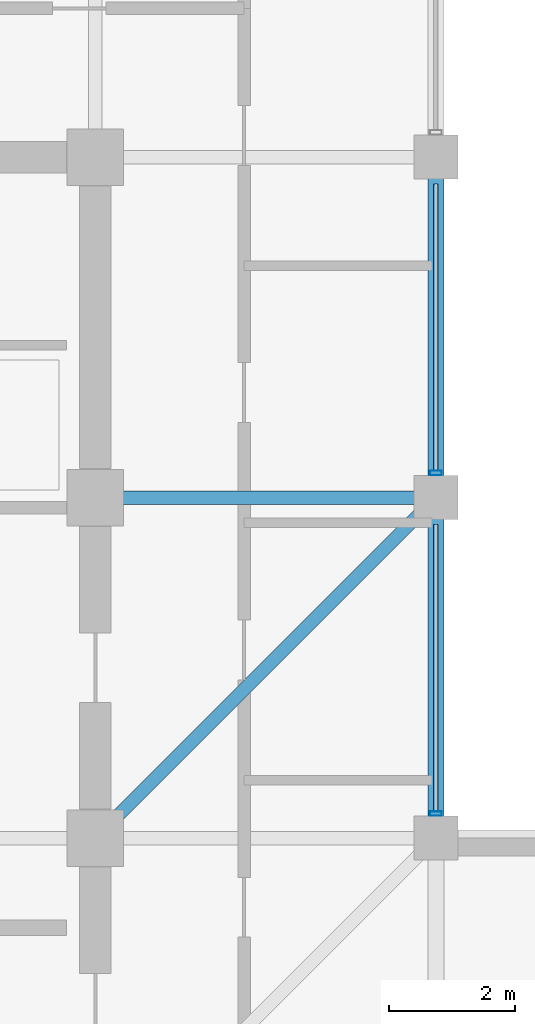
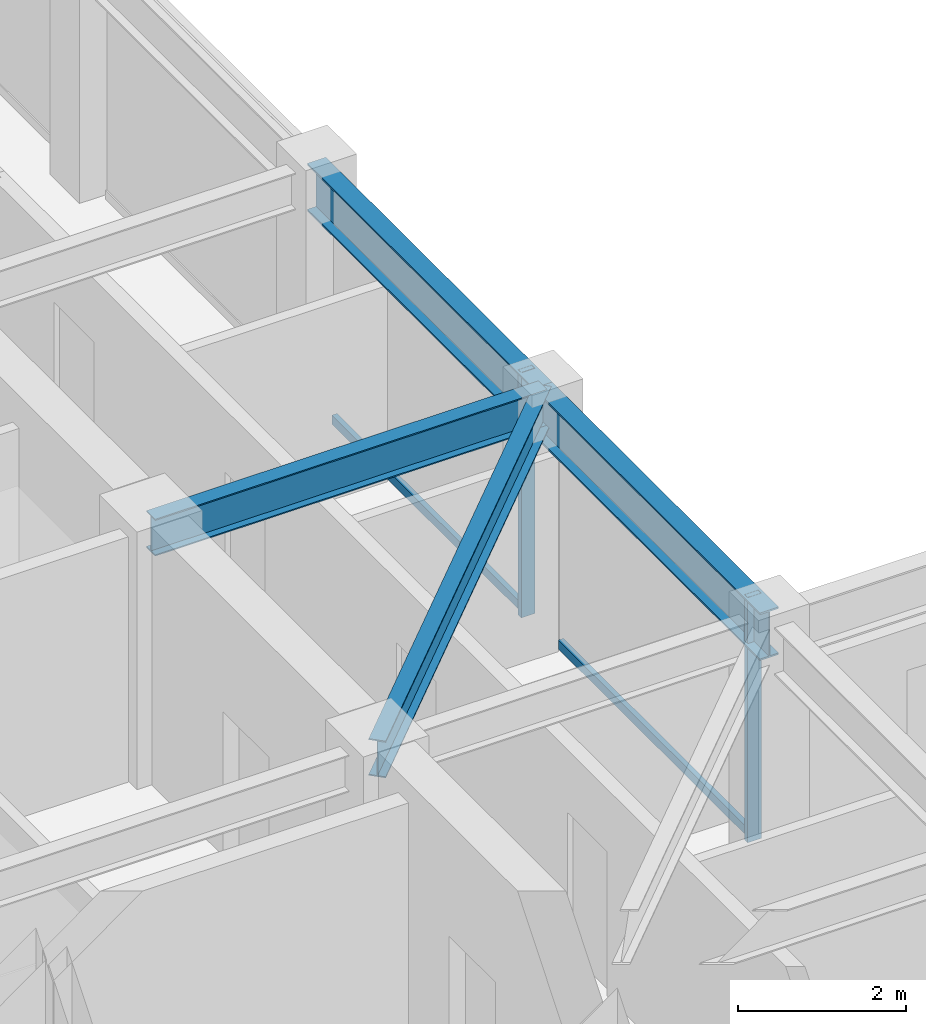
# One storey, part 11 of 31: 4 beams, 4 members, 1 element without a shape of its own.
"""IFC4 building model written with IfcOpenShell, lengths in metres."""

from ifc_helpers import new_model, si_unit, direction, frame, origin, origin_2d, place, context, subcontext, project, spatial, hollow_rectangle, i_section, extrude, material, layer, layer_set, material_profile, profile_set, type_object, element, aggregate, save


model = new_model("IFC4")

# Units and contexts
model_context = context("Model", 3, precision=1e-05, world=origin(), true_north=direction((0.0, 1.0)))
body_context = subcontext(model_context, "Body", "Model", "MODEL_VIEW")
ifc_project = project(units=[si_unit("LENGTHUNIT", "METRE"), si_unit("AREAUNIT", "SQUARE_METRE"), si_unit("VOLUMEUNIT", "CUBIC_METRE"), si_unit("PLANEANGLEUNIT", "RADIAN"), si_unit("MASSUNIT", "GRAM", prefix="KILO")], contexts=[model_context])

# Site, building, storey
site_placement = place(None, origin())
site = spatial("IfcSite", under=ifc_project, at=site_placement, CompositionType="ELEMENT")
building_placement = place(site_placement, origin())
building = spatial("IfcBuilding", under=site, at=building_placement, Name="Surkhivell Harbour Commons", CompositionType="ELEMENT")
storey_placement = place(building_placement, frame((0.0, 0.0, 322.5)))
storey = spatial("IfcBuildingStorey", under=building, at=storey_placement, Name="L84", CompositionType="ELEMENT", Elevation=322.5)

# Beams
ifc_material_1 = material(Name="Steel S355", Category="steel")
ifc_material_profile_1 = material_profile(ifc_material_1, i_section(OverallWidth=0.2099609375, OverallDepth=0.537109375, WebThickness=0.0107421875, FlangeThickness=0.017333984375, at=origin_2d()), Name="UB533x210x101")
ifc_profile_set_1 = profile_set([ifc_material_profile_1], Name="Steel S355")
beam_type_1 = type_object("IfcBeamType", Name="BM-GRD-533B", PredefinedType="BEAM", material=ifc_profile_set_1)
beam_1_placement = place(storey_placement, frame((10.800048828125, 0.0, 3.301513671875), z_axis=(0.707106781187, 0.707106781187, 0.0), x_axis=(-0.707106781187, 0.707106781187, 0.0)))
element("IfcBeam", 1, at=beam_1_placement, inside=storey, type_object=beam_type_1, Name="L84 Floor Girder (10.8,0.0)", PredefinedType="BEAM", context=body_context, shape_type="SweptSolid", body=[
    extrude(i_section(OverallWidth=0.2099609375, OverallDepth=0.537109375, WebThickness=0.0107421875, FlangeThickness=0.017333984375, at=origin_2d()), origin(), (0.0, 0.0, 1.0), 7.63671875),
])
beam_2_placement = place(storey_placement, frame((10.800048828125, 5.39990234375, 3.301513671875), z_axis=(1.0, 0.0, 0.0), x_axis=(0.0, 1.0, 0.0)))
element("IfcBeam", 2, at=beam_2_placement, inside=storey, type_object=beam_type_1, Name="L84 Floor Girder (10.8,5.4)", PredefinedType="BEAM", context=body_context, shape_type="SweptSolid", body=[
    extrude(i_section(OverallWidth=0.2099609375, OverallDepth=0.537109375, WebThickness=0.0107421875, FlangeThickness=0.017333984375, at=origin_2d()), origin(), (0.0, 0.0, 1.0), 5.39990234375),
])
ifc_material_profile_2 = material_profile(ifc_material_1, i_section(OverallWidth=0.256103515625, OverallDepth=0.693115234375, WebThickness=0.014404296875, FlangeThickness=0.023681640625, at=origin_2d()), Name="UB686x254x170")
ifc_profile_set_2 = profile_set([ifc_material_profile_2], Name="Steel S355")
beam_type_2 = type_object("IfcBeamType", Name="BM-SPN-686", PredefinedType="SPANDREL", material=ifc_profile_set_2)
beam_3_placement = place(storey_placement, frame((16.199951171875, 0.0, 3.223388671875), z_axis=(0.0, 1.0, 0.0), x_axis=(-1.0, 0.0, 0.0)))
element("IfcBeam", 3, at=beam_3_placement, inside=storey, type_object=beam_type_2, Name="L84 Tube Spandrel (16.2,0.0)", PredefinedType="SPANDREL", context=body_context, shape_type="SweptSolid", body=[
    extrude(i_section(OverallWidth=0.256103515625, OverallDepth=0.693115234375, WebThickness=0.014404296875, FlangeThickness=0.023681640625, at=origin_2d()), origin(), (0.0, 0.0, 1.0), 5.39990234375),
])
beam_4_placement = place(storey_placement, frame((16.199951171875, 5.39990234375, 3.223388671875), z_axis=(0.0, 1.0, 0.0), x_axis=(-1.0, 0.0, 0.0)))
element("IfcBeam", 4, at=beam_4_placement, inside=storey, type_object=beam_type_2, Name="L84 Tube Spandrel (16.2,5.4)", PredefinedType="SPANDREL", context=body_context, shape_type="SweptSolid", body=[
    extrude(i_section(OverallWidth=0.256103515625, OverallDepth=0.693115234375, WebThickness=0.014404296875, FlangeThickness=0.023681640625, at=origin_2d()), origin(), (0.0, 0.0, 1.0), 5.400146484375),
])

# Curtain wall, members
ifc_material_2 = material(Name="Anodised pale-metal aluminium and insulated glazing", Category="aluminium")
ifc_layer = layer(ifc_material_2, 0.175048828125)
ifc_layer_set = layer_set([ifc_layer], Name="Anodised pale-metal aluminium and insulated glazing")
curtain_wall_type = type_object("IfcCurtainWallType", Name="CW-SYS-Z4", PredefinedType="NOTDEFINED", material=ifc_layer_set)
curtain_wall_placement = place(storey_placement, origin())
curtain_wall = element("IfcCurtainWall", 5, at=curtain_wall_placement, inside=storey, type_object=curtain_wall_type, Name="L84 Curtain Wall CW-L84-E02R1", PredefinedType="NOTDEFINED")
ifc_material_3 = material(Name="Anodised pale-metal aluminium alloy 6063-T6", Category="aluminium")
ifc_material_profile_3 = material_profile(ifc_material_3, hollow_rectangle(XDim=0.074951171875, YDim=0.18994140625, WallThickness=0.00390625, at=origin_2d()), Name="ALU-MULL-75x190")
ifc_profile_set_3 = profile_set([ifc_material_profile_3], Name="Anodised pale-metal aluminium alloy 6063-T6")
member_type_1 = type_object("IfcMemberType", Name="CWM-190", PredefinedType="MULLION", material=ifc_profile_set_3)
member_1_placement = place(storey_placement, frame((16.199951171875, 0.389404296875, 0.0), z_axis=(0.0, 0.0, 1.0), x_axis=(0.0, 1.0, 0.0)))
member_1 = element("IfcMember", 6, at=member_1_placement, type_object=member_type_1, Name="CW-Z4 mullion 1", PredefinedType="MULLION", context=body_context, shape_type="SweptSolid", body=[
    extrude(hollow_rectangle(XDim=0.074951171875, YDim=0.18994140625, WallThickness=0.00390625, at=origin_2d()), origin(), (0.0, 0.0, 1.0), 3.570068359375),
])
member_2_placement = place(storey_placement, frame((16.199951171875, 5.78955078125, 0.0), z_axis=(0.0, 0.0, 1.0), x_axis=(0.0, 1.0, 0.0)))
member_2 = element("IfcMember", 7, at=member_2_placement, type_object=member_type_1, Name="CW-Z4 mullion 2", PredefinedType="MULLION", context=body_context, shape_type="SweptSolid", body=[
    extrude(hollow_rectangle(XDim=0.074951171875, YDim=0.18994140625, WallThickness=0.00390625, at=origin_2d()), origin(), (0.0, 0.0, 1.0), 3.570068359375),
])
ifc_material_4 = material(Name="Champagne anodised aluminium alloy 6063-T6", Category="aluminium")
ifc_material_profile_4 = material_profile(ifc_material_4, hollow_rectangle(XDim=0.070068359375, YDim=0.1298828125, WallThickness=0.00341796875, at=origin_2d()), Name="ALU-TRAN-70x130")
ifc_profile_set_4 = profile_set([ifc_material_profile_4], Name="Champagne anodised aluminium alloy 6063-T6")
member_type_2 = type_object("IfcMemberType", Name="CWT-130", PredefinedType="USERDEFINED", material=ifc_profile_set_4)
member_3_placement = place(storey_placement, frame((16.199951171875, 0.427001953125, 0.06494140625), z_axis=(0.0, 1.0, 0.0), x_axis=(-1.0, 0.0, 0.0)))
member_3 = element("IfcMember", 8, at=member_3_placement, type_object=member_type_2, Name="CW-Z4 transom 1.1", ObjectType="TRANSOM", PredefinedType="USERDEFINED", context=body_context, shape_type="SweptSolid", body=[
    extrude(hollow_rectangle(XDim=0.070068359375, YDim=0.1298828125, WallThickness=0.00341796875, at=origin_2d()), origin(), (0.0, 0.0, 1.0), 4.5458984375),
])
member_4_placement = place(storey_placement, frame((16.199951171875, 5.826904296875, 0.06494140625), z_axis=(0.0, 1.0, 0.0), x_axis=(-1.0, 0.0, 0.0)))
member_4 = element("IfcMember", 9, at=member_4_placement, type_object=member_type_2, Name="CW-Z4 transom 2.1", ObjectType="TRANSOM", PredefinedType="USERDEFINED", context=body_context, shape_type="SweptSolid", body=[
    extrude(hollow_rectangle(XDim=0.070068359375, YDim=0.1298828125, WallThickness=0.00341796875, at=origin_2d()), origin(), (0.0, 0.0, 1.0), 4.546142578125),
])
aggregate(curtain_wall, [member_1, member_3, member_2, member_4])

save(model, "model.ifc")
